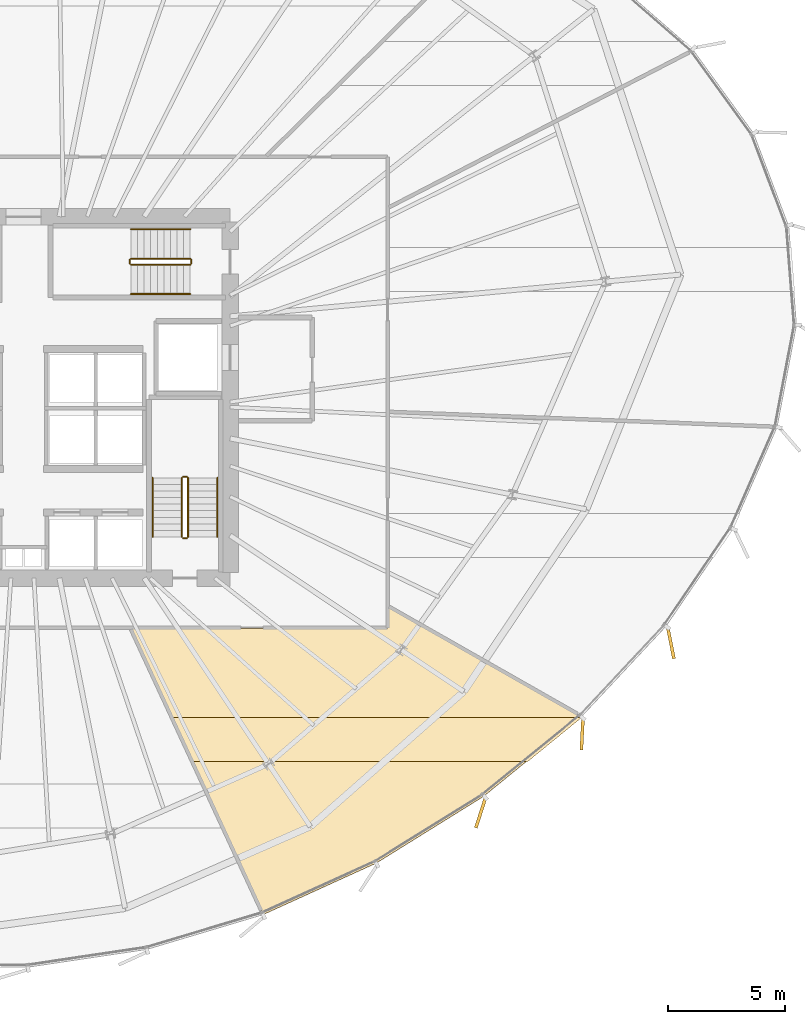
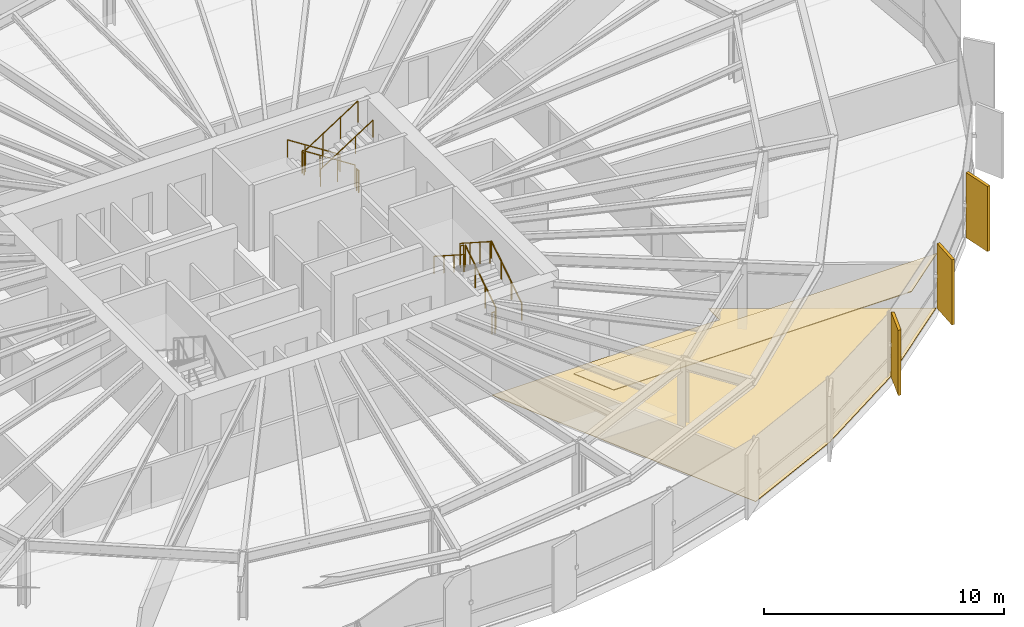
# One storey, part 34 of 35: 12 railings, 5 coverings.
"""IFC4 building model written with IfcOpenShell, lengths in metres."""

from ifc_helpers import new_model, si_unit, direction, frame, origin, origin_2d, place, context, subcontext, project, spatial, polyline, rectangle, circle, outline, extrude, source, transform, mapped, material, layer, layer_set, type_object, element, save


model = new_model("IFC4")

# Units and contexts
model_context = context("Model", 3, precision=1e-05, world=origin(), true_north=direction((0.0, 1.0)))
body_context = subcontext(model_context, "Body", "Model", "MODEL_VIEW")
ifc_project = project(units=[si_unit("LENGTHUNIT", "METRE"), si_unit("AREAUNIT", "SQUARE_METRE"), si_unit("VOLUMEUNIT", "CUBIC_METRE"), si_unit("PLANEANGLEUNIT", "RADIAN"), si_unit("MASSUNIT", "GRAM", prefix="KILO"), si_unit("THERMODYNAMICTEMPERATUREUNIT", "KELVIN")], contexts=[model_context])

# Site, building, storey
site_placement = place(None, origin())
site = spatial("IfcSite", under=ifc_project, at=site_placement, CompositionType="ELEMENT")
building_placement = place(site_placement, origin())
building = spatial("IfcBuilding", under=site, at=building_placement, Name="Kethvar Cultural Tower", CompositionType="ELEMENT")
storey_placement = place(building_placement, frame((0.0, 0.0, 85.60009765625)))
storey = spatial("IfcBuildingStorey", under=building, at=storey_placement, Name="L20", CompositionType="ELEMENT", Elevation=85.60009765625)

# Coverings
ifc_material_1 = material(Name="Acoustic Mineral Fibre Ceiling")
ifc_layer_1 = layer(ifc_material_1, 0.0400390625, Name="Acoustic Mineral Fibre Ceiling")
ifc_layer_set_1 = layer_set([ifc_layer_1], Name="Acoustic Mineral Fibre Ceiling (40 mm)")
covering_type_1 = type_object("IfcCoveringType", Name="CV-ACOUSTIC-CEIL", PredefinedType="CEILING", material=ifc_layer_set_1)
covering_1_placement = place(storey_placement, frame((0.0, 0.0, 2.77978515625)))
element("IfcCovering", 1, at=covering_1_placement, inside=storey, type_object=covering_type_1, Name="L20 Room 03 Acoustic Ceiling Panel", PredefinedType="CEILING", context=body_context, shape_type="SweptSolid", body=[
    extrude(outline(polyline([(53.099853515625, 14.152587890625), (70.574951171875, 14.152587890625), (68.28076171875, 12.28271484375), (53.966064453125, 12.28271484375), (53.099853515625, 14.152587890625)])), origin(), (0.0, 0.0, 1.0), 0.0400390625),
])
ifc_material_2 = material(Name="Architectural Oak Timber", Category="wood")
ifc_layer_2 = layer(ifc_material_2, 0.02490234375, Name="Architectural Oak Timber", Category="wood")
ifc_layer_set_2 = layer_set([ifc_layer_2], Name="Architectural Oak Timber (25 mm)")
covering_type_2 = type_object("IfcCoveringType", Name="CV-OAK-FLOOR", PredefinedType="FLOORING", material=ifc_layer_set_2)
covering_2_placement = place(storey_placement, origin())
element("IfcCovering", 2, at=covering_2_placement, inside=storey, type_object=covering_type_2, Name="L20 Room 03 Floor Finish", PredefinedType="FLOORING", context=body_context, shape_type="SweptSolid", body=[
    extrude(outline(polyline([(66.391845703125, 10.794677734375), (61.822509765625, 7.953369140625), (57.026611328125, 5.770751953125), (51.380126953125, 17.9599609375), (62.31201171875, 17.960205078125), (62.330078125, 18.88427734375), (70.54541015625, 14.179931640625), (66.391845703125, 10.794677734375)])), origin(), (0.0, 0.0, 1.0), 0.02490234375),
])

# Railings
ifc_material_3 = material(Name="Steel S355J2", Category="steel")
railing_type_1 = type_object("IfcRailingType", Name="RL-STAIR-GUARD", PredefinedType="BALUSTRADE", material=ifc_material_3)
railing_1_placement = place(storey_placement, frame((53.81005859375, 21.85009765625, 0.179931640625)))
element("IfcRailing", 3, at=railing_1_placement, inside=storey, type_object=railing_type_1, Name="L20 ST-02 stair guard 1", PredefinedType="BALUSTRADE", context=body_context, shape_type="SweptSolid", body=[
    extrude(circle(Radius=0.02392578125, at=origin_2d()), frame((0.0, 0.0, 1.09619140625), z_axis=(0.0, 0.841199657755, 0.540724639528), x_axis=(-1.0, 0.0, 0.0)), (0.0, 0.0, 1.0), 2.995849609375),
    extrude(circle(Radius=0.02099609375, at=origin_2d()), origin(), (0.0, 0.0, 1.0), 1.072021484375),
    extrude(circle(Radius=0.02099609375, at=origin_2d()), frame((0.0, 0.840087890625, 0.5400390625)), (0.0, 0.0, 1.0), 1.072021484375),
    extrude(circle(Radius=0.02099609375, at=origin_2d()), frame((0.0, 1.679931640625, 1.079833984375)), (0.0, 0.0, 1.0), 1.072021484375),
    extrude(circle(Radius=0.02099609375, at=origin_2d()), frame((0.0, 2.52001953125, 1.619873046875)), (0.0, 0.0, 1.0), 1.072021484375),
])
railing_2_placement = place(storey_placement, frame((53.760009765625, 24.419921875, 1.7998046875)))
element("IfcRailing", 4, at=railing_2_placement, inside=storey, type_object=railing_type_1, Name="L20 ST-02 stair guard 2", PredefinedType="BALUSTRADE", context=body_context, shape_type="SweptSolid", body=[
    extrude(circle(Radius=0.02392578125, at=origin_2d()), frame((0.0, 0.0, 1.09619140625), z_axis=(-1.0, 0.0, 0.0), x_axis=(0.0, -1.0, 0.0)), (0.0, 0.0, 1.0), 0.159912109375),
    extrude(circle(Radius=0.02099609375, at=origin_2d()), origin(), (0.0, 0.0, 1.0), 1.072021484375),
    extrude(circle(Radius=0.02099609375, at=origin_2d()), frame((-0.159912109375, 0.0, 0.0)), (0.0, 0.0, 1.0), 1.072021484375),
])
railing_3_placement = place(storey_placement, frame((53.550048828125, 24.3701171875, 1.97998046875)))
element("IfcRailing", 5, at=railing_3_placement, inside=storey, type_object=railing_type_1, Name="L20 ST-02 stair guard 3", PredefinedType="BALUSTRADE", context=body_context, shape_type="SweptSolid", body=[
    extrude(circle(Radius=0.02392578125, at=origin_2d()), frame((0.0, 0.0, 1.09619140625), z_axis=(0.0, -0.841199657755, 0.540724639528), x_axis=(1.0, 0.0, 0.0)), (0.0, 0.0, 1.0), 2.995849609375),
    extrude(circle(Radius=0.02099609375, at=origin_2d()), origin(), (0.0, 0.0, 1.0), 1.072021484375),
    extrude(circle(Radius=0.02099609375, at=origin_2d()), frame((0.0, -0.840087890625, 0.5400390625)), (0.0, 0.0, 1.0), 1.072021484375),
    extrude(circle(Radius=0.02099609375, at=origin_2d()), frame((0.0, -1.679931640625, 1.079833984375)), (0.0, 0.0, 1.0), 1.072021484375),
    extrude(circle(Radius=0.02099609375, at=origin_2d()), frame((0.0, -2.52001953125, 1.619873046875)), (0.0, 0.0, 1.0), 1.072021484375),
])
railing_4_placement = place(storey_placement, frame((53.760009765625, 21.800048828125, 0.0)))
element("IfcRailing", 6, at=railing_4_placement, inside=storey, type_object=railing_type_1, Name="L20 ST-02 stair guard 4", PredefinedType="BALUSTRADE", context=body_context, shape_type="SweptSolid", body=[
    extrude(circle(Radius=0.02392578125, at=origin_2d()), frame((0.0, 0.0, 1.09619140625), z_axis=(-1.0, 0.0, 0.0), x_axis=(0.0, -1.0, 0.0)), (0.0, 0.0, 1.0), 0.159912109375),
    extrude(circle(Radius=0.02099609375, at=origin_2d()), origin(), (0.0, 0.0, 1.0), 1.072021484375),
    extrude(circle(Radius=0.02099609375, at=origin_2d()), frame((-0.159912109375, 0.0, 0.0)), (0.0, 0.0, 1.0), 1.072021484375),
])
railing_5_placement = place(storey_placement, frame((53.89990234375, 33.7099609375, 0.179931640625)))
element("IfcRailing", 7, at=railing_5_placement, inside=storey, type_object=railing_type_1, Name="L20 ST-03 stair guard 1", PredefinedType="BALUSTRADE", context=body_context, shape_type="SweptSolid", body=[
    extrude(circle(Radius=0.02392578125, at=origin_2d()), frame((0.0, 0.0, 1.09619140625), z_axis=(-0.841199657755, 0.0, 0.540724639528), x_axis=(0.0, -1.0, 0.0)), (0.0, 0.0, 1.0), 2.995849609375),
    extrude(circle(Radius=0.02099609375, at=origin_2d()), origin(), (0.0, 0.0, 1.0), 1.072021484375),
    extrude(circle(Radius=0.02099609375, at=origin_2d()), frame((-0.840087890625, 0.0, 0.5400390625)), (0.0, 0.0, 1.0), 1.072021484375),
    extrude(circle(Radius=0.02099609375, at=origin_2d()), frame((-1.679931640625, 0.0, 1.079833984375)), (0.0, 0.0, 1.0), 1.072021484375),
    extrude(circle(Radius=0.02099609375, at=origin_2d()), frame((-2.52001953125, 0.0, 1.619873046875)), (0.0, 0.0, 1.0), 1.072021484375),
])
railing_6_placement = place(storey_placement, frame((51.330078125, 33.659912109375, 1.7998046875)))
element("IfcRailing", 8, at=railing_6_placement, inside=storey, type_object=railing_type_1, Name="L20 ST-03 stair guard 2", PredefinedType="BALUSTRADE", context=body_context, shape_type="SweptSolid", body=[
    extrude(circle(Radius=0.02392578125, at=origin_2d()), frame((0.0, 0.0, 1.09619140625), z_axis=(0.0, -1.0, 0.0), x_axis=(1.0, 0.0, 0.0)), (0.0, 0.0, 1.0), 0.159912109375),
    extrude(circle(Radius=0.02099609375, at=origin_2d()), origin(), (0.0, 0.0, 1.0), 1.072021484375),
    extrude(circle(Radius=0.02099609375, at=origin_2d()), frame((0.0, -0.159912109375, 0.0)), (0.0, 0.0, 1.0), 1.072021484375),
])
railing_7_placement = place(storey_placement, frame((51.3798828125, 33.449951171875, 1.97998046875)))
element("IfcRailing", 9, at=railing_7_placement, inside=storey, type_object=railing_type_1, Name="L20 ST-03 stair guard 3", PredefinedType="BALUSTRADE", context=body_context, shape_type="SweptSolid", body=[
    extrude(circle(Radius=0.02392578125, at=origin_2d()), frame((0.0, 0.0, 1.09619140625), z_axis=(0.841199657755, 0.0, 0.540724639528), x_axis=(0.0, 1.0, 0.0)), (0.0, 0.0, 1.0), 2.995849609375),
    extrude(circle(Radius=0.02099609375, at=origin_2d()), origin(), (0.0, 0.0, 1.0), 1.072021484375),
    extrude(circle(Radius=0.02099609375, at=origin_2d()), frame((0.840087890625, 0.0, 0.5400390625)), (0.0, 0.0, 1.0), 1.072021484375),
    extrude(circle(Radius=0.02099609375, at=origin_2d()), frame((1.679931640625, 0.0, 1.079833984375)), (0.0, 0.0, 1.0), 1.072021484375),
    extrude(circle(Radius=0.02099609375, at=origin_2d()), frame((2.52001953125, 0.0, 1.619873046875)), (0.0, 0.0, 1.0), 1.072021484375),
])
railing_8_placement = place(storey_placement, frame((53.949951171875, 33.659912109375, 0.0)))
element("IfcRailing", 10, at=railing_8_placement, inside=storey, type_object=railing_type_1, Name="L20 ST-03 stair guard 4", PredefinedType="BALUSTRADE", context=body_context, shape_type="SweptSolid", body=[
    extrude(circle(Radius=0.02392578125, at=origin_2d()), frame((0.0, 0.0, 1.09619140625), z_axis=(0.0, -1.0, 0.0), x_axis=(1.0, 0.0, 0.0)), (0.0, 0.0, 1.0), 0.159912109375),
    extrude(circle(Radius=0.02099609375, at=origin_2d()), origin(), (0.0, 0.0, 1.0), 1.072021484375),
    extrude(circle(Radius=0.02099609375, at=origin_2d()), frame((0.0, -0.159912109375, 0.0)), (0.0, 0.0, 1.0), 1.072021484375),
])
railing_type_2 = type_object("IfcRailingType", Name="RL-STAIR-HANDRAIL", PredefinedType="HANDRAIL", material=ifc_material_3)
railing_9_placement = place(storey_placement, frame((55.06005859375, 21.85009765625, 0.179931640625)))
element("IfcRailing", 11, at=railing_9_placement, inside=storey, type_object=railing_type_2, Name="L20 ST-02 stair handrail 1", PredefinedType="HANDRAIL", context=body_context, shape_type="SweptSolid", body=[
    extrude(circle(Radius=0.02392578125, at=origin_2d()), frame((0.0, 0.0, 0.8759765625), z_axis=(0.0, 0.841199657755, 0.540724639528), x_axis=(-1.0, 0.0, 0.0)), (0.0, 0.0, 1.0), 2.995849609375),
    extrude(circle(Radius=0.02099609375, at=origin_2d()), origin(), (0.0, 0.0, 1.0), 0.851806640625),
    extrude(circle(Radius=0.02099609375, at=origin_2d()), frame((0.0, 0.840087890625, 0.5400390625)), (0.0, 0.0, 1.0), 0.851806640625),
    extrude(circle(Radius=0.02099609375, at=origin_2d()), frame((0.0, 1.679931640625, 1.079833984375)), (0.0, 0.0, 1.0), 0.851806640625),
    extrude(circle(Radius=0.02099609375, at=origin_2d()), frame((0.0, 2.52001953125, 1.619873046875)), (0.0, 0.0, 1.0), 0.851806640625),
])
railing_10_placement = place(storey_placement, frame((52.300048828125, 24.3701171875, 1.97998046875)))
element("IfcRailing", 12, at=railing_10_placement, inside=storey, type_object=railing_type_2, Name="L20 ST-02 stair handrail 2", PredefinedType="HANDRAIL", context=body_context, shape_type="SweptSolid", body=[
    extrude(circle(Radius=0.02392578125, at=origin_2d()), frame((0.0, 0.0, 0.8759765625), z_axis=(0.0, -0.841199657755, 0.540724639528), x_axis=(1.0, 0.0, 0.0)), (0.0, 0.0, 1.0), 2.995849609375),
    extrude(circle(Radius=0.02099609375, at=origin_2d()), origin(), (0.0, 0.0, 1.0), 0.851806640625),
    extrude(circle(Radius=0.02099609375, at=origin_2d()), frame((0.0, -0.840087890625, 0.5400390625)), (0.0, 0.0, 1.0), 0.851806640625),
    extrude(circle(Radius=0.02099609375, at=origin_2d()), frame((0.0, -1.679931640625, 1.079833984375)), (0.0, 0.0, 1.0), 0.851806640625),
    extrude(circle(Radius=0.02099609375, at=origin_2d()), frame((0.0, -2.52001953125, 1.619873046875)), (0.0, 0.0, 1.0), 0.851806640625),
])
railing_11_placement = place(storey_placement, frame((53.89990234375, 34.9599609375, 0.179931640625)))
element("IfcRailing", 13, at=railing_11_placement, inside=storey, type_object=railing_type_2, Name="L20 ST-03 stair handrail 1", PredefinedType="HANDRAIL", context=body_context, shape_type="SweptSolid", body=[
    extrude(circle(Radius=0.02392578125, at=origin_2d()), frame((0.0, 0.0, 0.8759765625), z_axis=(-0.841199657755, 0.0, 0.540724639528), x_axis=(0.0, -1.0, 0.0)), (0.0, 0.0, 1.0), 2.995849609375),
    extrude(circle(Radius=0.02099609375, at=origin_2d()), origin(), (0.0, 0.0, 1.0), 0.851806640625),
    extrude(circle(Radius=0.02099609375, at=origin_2d()), frame((-0.840087890625, 0.0, 0.5400390625)), (0.0, 0.0, 1.0), 0.851806640625),
    extrude(circle(Radius=0.02099609375, at=origin_2d()), frame((-1.679931640625, 0.0, 1.079833984375)), (0.0, 0.0, 1.0), 0.851806640625),
    extrude(circle(Radius=0.02099609375, at=origin_2d()), frame((-2.52001953125, 0.0, 1.619873046875)), (0.0, 0.0, 1.0), 0.851806640625),
])
railing_12_placement = place(storey_placement, frame((51.3798828125, 32.199951171875, 1.97998046875)))
element("IfcRailing", 14, at=railing_12_placement, inside=storey, type_object=railing_type_2, Name="L20 ST-03 stair handrail 2", PredefinedType="HANDRAIL", context=body_context, shape_type="SweptSolid", body=[
    extrude(circle(Radius=0.02392578125, at=origin_2d()), frame((0.0, 0.0, 0.8759765625), z_axis=(0.841199657755, 0.0, 0.540724639528), x_axis=(0.0, 1.0, 0.0)), (0.0, 0.0, 1.0), 2.995849609375),
    extrude(circle(Radius=0.02099609375, at=origin_2d()), origin(), (0.0, 0.0, 1.0), 0.851806640625),
    extrude(circle(Radius=0.02099609375, at=origin_2d()), frame((0.840087890625, 0.0, 0.5400390625)), (0.0, 0.0, 1.0), 0.851806640625),
    extrude(circle(Radius=0.02099609375, at=origin_2d()), frame((1.679931640625, 0.0, 1.079833984375)), (0.0, 0.0, 1.0), 0.851806640625),
    extrude(circle(Radius=0.02099609375, at=origin_2d()), frame((2.52001953125, 0.0, 1.619873046875)), (0.0, 0.0, 1.0), 0.851806640625),
])

# Coverings
ifc_material_4 = material(Name="Extruded Architectural Terracotta", Category="masonry")
ifc_layer_3 = layer(ifc_material_4, 0.135009765625, Name="Extruded Architectural Terracotta", Category="masonry")
ifc_layer_set_3 = layer_set([ifc_layer_3], Name="Extruded Architectural Terracotta (135 mm)")
covering_type_3 = type_object("IfcCoveringType", Name="Terracotta Facade Fin FIN-02", PredefinedType="CLADDING", material=ifc_layer_set_3)
shared_shape = source(origin(), body_context, "Body", "SweptSolid", [
    extrude(rectangle(XDim=1.35009765625, YDim=0.135009765625, at=origin_2d()), origin(), (0.0, 0.0, 1.0), 3.31005859375),
])
for number, where, z_axis, x_axis, name in (
    (15, (66.278076171875, 10.09814453125, 0.019775390625), (0.0, 0.0, 1.0), (-0.30552912238, -0.952182732136, 0.0), "L20 Vertical Terracotta Fin 6.1"),
    (16, (70.603515625, 13.4541015625, 0.019775390625), (0.0, 0.0, 1.0), (-0.052335956243, -0.998629534755, 0.0), "L20 Vertical Terracotta Fin 6.2"),
    (17, (74.380126953125, 17.3271484375, 0.019775390625), (0.0, 0.0, 1.0), (0.19423435122, -0.980955155349, 0.0), "L20 Vertical Terracotta Fin 6.3"),
):
    element("IfcCovering", number, at=place(storey_placement, frame(where, z_axis=z_axis, x_axis=x_axis)), inside=storey, type_object=covering_type_3, Name=name, PredefinedType="CLADDING", context=body_context, shape_type="MappedRepresentation", body=[
        mapped(shared_shape, transform((0.0, 0.0, 0.0), scale=1.0)),
    ])

save(model, "model.ifc")
